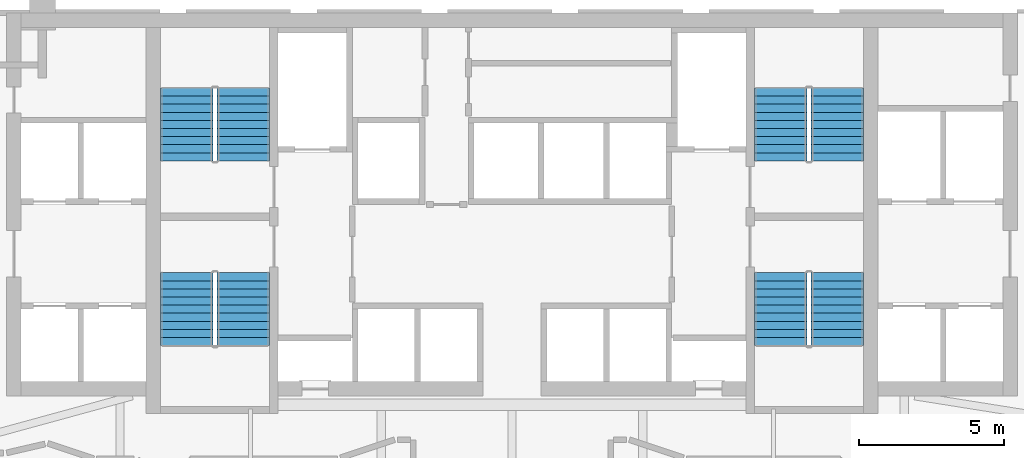
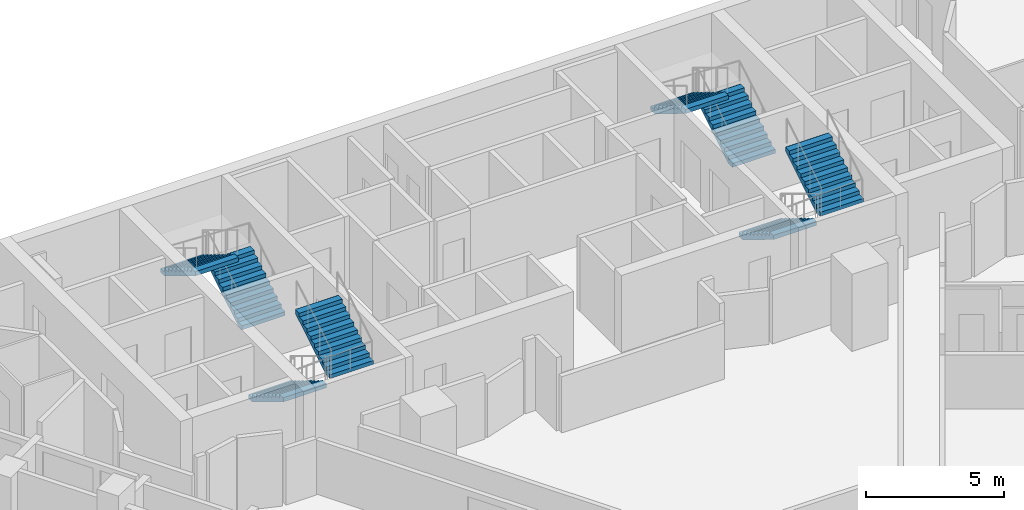
# One storey, part 9 of 10: 8 stair flights, 4 elements without a shape of their own.
"""IFC4 building model written with IfcOpenShell, lengths in metres."""

from ifc_helpers import new_model, si_unit, direction, frame, origin, place, context, subcontext, project, spatial, faceted_brep, source, transform, mapped, material, type_object, element, aggregate, save


model = new_model("IFC4")

# Units and contexts
model_context = context("Model", 3, precision=1e-05, world=origin(), true_north=direction((0.0, 1.0)))
body_context = subcontext(model_context, "Body", "Model", "MODEL_VIEW")
ifc_project = project(units=[si_unit("LENGTHUNIT", "METRE"), si_unit("AREAUNIT", "SQUARE_METRE"), si_unit("VOLUMEUNIT", "CUBIC_METRE"), si_unit("PLANEANGLEUNIT", "RADIAN"), si_unit("MASSUNIT", "GRAM", prefix="KILO")], contexts=[model_context])

# Site, building, storey
site_placement = place(None, origin())
site = spatial("IfcSite", under=ifc_project, at=site_placement, CompositionType="ELEMENT")
building_placement = place(site_placement, origin())
building = spatial("IfcBuilding", under=site, at=building_placement, Name="Calabash Gate Tower", CompositionType="ELEMENT")
storey_placement = place(building_placement, frame((0.0, 0.0, 108.800048828125)))
storey = spatial("IfcBuildingStorey", under=building, at=storey_placement, Name="L24", CompositionType="ELEMENT", Elevation=108.800048828125)

# Stair, stair flights
ifc_material_1 = material(Name="Concrete C40/50", Category="concrete")
stair_type = type_object("IfcStairType", Name="Exit stair 20 risers of 170 mm", PredefinedType="HALF_TURN_STAIR", material=ifc_material_1)
stair_1_placement = place(storey_placement, origin())
stair_1 = element("IfcStair", 1, at=stair_1_placement, inside=storey, type_object=stair_type, Name="L24 Exit stair ST1", PredefinedType="HALF_TURN_STAIR")
ifc_material_2 = material(Name="Concrete C40/50", Category="concrete")
stair_flight_type = type_object("IfcStairFlightType", Name="Exit stair flight SFL", PredefinedType="STRAIGHT", material=ifc_material_2)
shared_shape = source(origin(), body_context, "Body", "Brep", [
    faceted_brep([(-0.0009765625, -0.89990234375, 0.0), (0.2880859375, -0.89990234375, 0.0), (2.511962890625, -0.89990234375, 1.3544921875), (-0.0009765625, 0.89990234375, 0.0), (2.511962890625, 0.89990234375, 1.3544921875), (0.2880859375, 0.89990234375, 0.0), (2.511962890625, -0.89990234375, 1.5419921875), (2.510986328125, -0.89990234375, 1.5419921875), (2.510986328125, 0.89990234375, 1.5419921875), (2.511962890625, 0.89990234375, 1.5419921875), (2.510986328125, -0.89990234375, 1.530029296875), (2.510986328125, 0.89990234375, 1.530029296875), (2.23193359375, -0.89990234375, 1.530029296875), (2.23193359375, 0.89990234375, 1.530029296875), (2.23193359375, -0.89990234375, 1.360107421875), (2.23193359375, 0.89990234375, 1.360107421875), (1.952880859375, -0.89990234375, 1.360107421875), (1.952880859375, 0.89990234375, 1.360107421875), (1.952880859375, -0.89990234375, 1.18994140625), (1.952880859375, 0.89990234375, 1.18994140625), (1.674072265625, -0.89990234375, 1.18994140625), (1.674072265625, -0.89990234375, 1.02001953125), (1.674072265625, 0.89990234375, 1.02001953125), (1.674072265625, 0.89990234375, 1.18994140625), (1.39501953125, -0.89990234375, 1.02001953125), (1.39501953125, -0.89990234375, 0.85009765625), (1.39501953125, 0.89990234375, 0.85009765625), (1.39501953125, 0.89990234375, 1.02001953125), (1.115966796875, -0.89990234375, 0.85009765625), (1.115966796875, -0.89990234375, 0.679931640625), (1.115966796875, 0.89990234375, 0.679931640625), (1.115966796875, 0.89990234375, 0.85009765625), (0.8369140625, -0.89990234375, 0.679931640625), (0.8369140625, -0.89990234375, 0.510009765625), (0.8369140625, 0.89990234375, 0.510009765625), (0.8369140625, 0.89990234375, 0.679931640625), (0.55810546875, -0.89990234375, 0.510009765625), (0.55810546875, -0.89990234375, 0.340087890625), (0.55810546875, 0.89990234375, 0.340087890625), (0.55810546875, 0.89990234375, 0.510009765625), (0.279052734375, -0.89990234375, 0.340087890625), (0.279052734375, -0.89990234375, 0.169921875), (0.279052734375, 0.89990234375, 0.169921875), (0.279052734375, 0.89990234375, 0.340087890625), (-0.0009765625, -0.89990234375, 0.169921875), (-0.0009765625, 0.89990234375, 0.169921875), (0.2880859375, -0.360107421875, 0.0), (2.511962890625, -0.360107421875, 1.3544921875), (0.2880859375, -0.179931640625, 0.0), (2.511962890625, -0.179931640625, 1.3544921875), (0.2880859375, 0.0, 0.0), (2.511962890625, 0.0, 1.3544921875), (0.2880859375, 0.179931640625, 0.0), (2.511962890625, 0.179931640625, 1.3544921875), (0.2880859375, 0.360107421875, 0.0), (2.511962890625, 0.360107421875, 1.3544921875), (2.511962890625, -0.360107421875, 1.5419921875), (2.511962890625, -0.179931640625, 1.5419921875), (2.511962890625, 0.0, 1.5419921875), (2.511962890625, 0.179931640625, 1.5419921875), (2.511962890625, 0.360107421875, 1.5419921875), (2.510986328125, -0.360107421875, 1.5419921875), (2.510986328125, -0.179931640625, 1.5419921875), (2.510986328125, 0.0, 1.5419921875), (2.510986328125, 0.179931640625, 1.5419921875), (2.510986328125, 0.360107421875, 1.5419921875), (2.510986328125, -0.360107421875, 1.530029296875), (2.510986328125, -0.179931640625, 1.530029296875), (2.510986328125, 0.0, 1.530029296875), (2.510986328125, 0.179931640625, 1.530029296875), (2.510986328125, 0.360107421875, 1.530029296875), (2.23193359375, -0.360107421875, 1.530029296875), (2.23193359375, -0.179931640625, 1.530029296875), (2.23193359375, 0.0, 1.530029296875), (2.23193359375, 0.179931640625, 1.530029296875), (2.23193359375, 0.360107421875, 1.530029296875), (2.23193359375, -0.360107421875, 1.360107421875), (2.23193359375, -0.179931640625, 1.360107421875), (2.23193359375, 0.0, 1.360107421875), (2.23193359375, 0.179931640625, 1.360107421875), (2.23193359375, 0.360107421875, 1.360107421875), (1.952880859375, -0.360107421875, 1.360107421875), (1.952880859375, -0.179931640625, 1.360107421875), (1.952880859375, 0.0, 1.360107421875), (1.952880859375, 0.179931640625, 1.360107421875), (1.952880859375, 0.360107421875, 1.360107421875), (1.952880859375, -0.360107421875, 1.18994140625), (1.952880859375, -0.179931640625, 1.18994140625), (1.952880859375, 0.0, 1.18994140625), (1.952880859375, 0.179931640625, 1.18994140625), (1.952880859375, 0.360107421875, 1.18994140625), (1.674072265625, -0.360107421875, 1.18994140625), (1.674072265625, -0.179931640625, 1.18994140625), (1.674072265625, 0.0, 1.18994140625), (1.674072265625, 0.179931640625, 1.18994140625), (1.674072265625, 0.360107421875, 1.18994140625), (1.674072265625, -0.360107421875, 1.02001953125), (1.674072265625, -0.179931640625, 1.02001953125), (1.674072265625, 0.0, 1.02001953125), (1.674072265625, 0.179931640625, 1.02001953125), (1.674072265625, 0.360107421875, 1.02001953125), (1.39501953125, -0.360107421875, 1.02001953125), (1.39501953125, -0.179931640625, 1.02001953125), (1.39501953125, 0.0, 1.02001953125), (1.39501953125, 0.179931640625, 1.02001953125), (1.39501953125, 0.360107421875, 1.02001953125), (1.39501953125, -0.360107421875, 0.85009765625), (1.39501953125, -0.179931640625, 0.85009765625), (1.39501953125, 0.0, 0.85009765625), (1.39501953125, 0.179931640625, 0.85009765625), (1.39501953125, 0.360107421875, 0.85009765625), (1.115966796875, -0.360107421875, 0.85009765625), (1.115966796875, -0.179931640625, 0.85009765625), (1.115966796875, 0.0, 0.85009765625), (1.115966796875, 0.179931640625, 0.85009765625), (1.115966796875, 0.360107421875, 0.85009765625), (1.115966796875, -0.360107421875, 0.679931640625), (1.115966796875, -0.179931640625, 0.679931640625), (1.115966796875, 0.0, 0.679931640625), (1.115966796875, 0.179931640625, 0.679931640625), (1.115966796875, 0.360107421875, 0.679931640625), (0.8369140625, -0.360107421875, 0.679931640625), (0.8369140625, -0.179931640625, 0.679931640625), (0.8369140625, 0.0, 0.679931640625), (0.8369140625, 0.179931640625, 0.679931640625), (0.8369140625, 0.360107421875, 0.679931640625), (0.8369140625, -0.360107421875, 0.510009765625), (0.8369140625, -0.179931640625, 0.510009765625), (0.8369140625, 0.0, 0.510009765625), (0.8369140625, 0.179931640625, 0.510009765625), (0.8369140625, 0.360107421875, 0.510009765625), (0.55810546875, -0.360107421875, 0.510009765625), (0.55810546875, -0.179931640625, 0.510009765625), (0.55810546875, 0.0, 0.510009765625), (0.55810546875, 0.179931640625, 0.510009765625), (0.55810546875, 0.360107421875, 0.510009765625), (0.55810546875, -0.360107421875, 0.340087890625), (0.55810546875, -0.179931640625, 0.340087890625), (0.55810546875, 0.0, 0.340087890625), (0.55810546875, 0.179931640625, 0.340087890625), (0.55810546875, 0.360107421875, 0.340087890625), (0.279052734375, -0.360107421875, 0.340087890625), (0.279052734375, -0.179931640625, 0.340087890625), (0.279052734375, 0.0, 0.340087890625), (0.279052734375, 0.179931640625, 0.340087890625), (0.279052734375, 0.360107421875, 0.340087890625), (0.279052734375, -0.360107421875, 0.169921875), (0.279052734375, -0.179931640625, 0.169921875), (0.279052734375, 0.0, 0.169921875), (0.279052734375, 0.179931640625, 0.169921875), (0.279052734375, 0.360107421875, 0.169921875), (-0.0009765625, -0.360107421875, 0.169921875), (-0.0009765625, -0.179931640625, 0.169921875), (-0.0009765625, 0.0, 0.169921875), (-0.0009765625, 0.179931640625, 0.169921875), (-0.0009765625, 0.360107421875, 0.169921875), (-0.0009765625, -0.360107421875, 0.0), (-0.0009765625, -0.179931640625, 0.0), (-0.0009765625, 0.0, 0.0), (-0.0009765625, 0.179931640625, 0.0), (-0.0009765625, 0.360107421875, 0.0)], [[[0, 1, 2]], [[3, 4, 5]], [[2, 6, 7]], [[4, 8, 9]], [[2, 7, 10]], [[4, 11, 8]], [[2, 10, 12]], [[4, 13, 11]], [[2, 12, 14]], [[4, 15, 13]], [[2, 14, 16]], [[4, 17, 15]], [[2, 16, 18]], [[4, 19, 17]], [[18, 20, 21]], [[19, 22, 23]], [[2, 18, 21]], [[4, 22, 19]], [[21, 24, 25]], [[22, 26, 27]], [[2, 21, 25]], [[4, 26, 22]], [[25, 28, 29]], [[26, 30, 31]], [[2, 25, 29]], [[4, 30, 26]], [[29, 32, 33]], [[30, 34, 35]], [[2, 29, 33]], [[4, 34, 30]], [[33, 36, 37]], [[34, 38, 39]], [[2, 33, 37]], [[4, 38, 34]], [[37, 40, 41]], [[38, 42, 43]], [[2, 37, 41]], [[4, 42, 38]], [[0, 2, 41]], [[3, 42, 4]], [[41, 44, 0]], [[42, 3, 45]], [[1, 46, 2]], [[46, 47, 2]], [[46, 48, 47]], [[48, 49, 47]], [[48, 50, 49]], [[50, 51, 49]], [[50, 52, 53]], [[50, 53, 51]], [[52, 54, 55]], [[52, 55, 53]], [[54, 5, 4]], [[54, 4, 55]], [[2, 47, 6]], [[47, 56, 6]], [[47, 49, 56]], [[49, 57, 56]], [[49, 51, 57]], [[51, 58, 57]], [[51, 53, 59]], [[51, 59, 58]], [[53, 55, 60]], [[53, 60, 59]], [[55, 4, 9]], [[55, 9, 60]], [[6, 56, 7]], [[56, 61, 7]], [[56, 57, 61]], [[57, 62, 61]], [[57, 58, 62]], [[58, 63, 62]], [[58, 59, 64]], [[58, 64, 63]], [[59, 60, 65]], [[59, 65, 64]], [[60, 9, 8]], [[60, 8, 65]], [[7, 61, 10]], [[61, 66, 10]], [[61, 62, 66]], [[62, 67, 66]], [[62, 63, 67]], [[63, 68, 67]], [[63, 64, 69]], [[63, 69, 68]], [[64, 65, 70]], [[64, 70, 69]], [[65, 8, 11]], [[65, 11, 70]], [[10, 66, 12]], [[66, 71, 12]], [[66, 67, 71]], [[67, 72, 71]], [[67, 68, 72]], [[68, 73, 72]], [[68, 69, 74]], [[68, 74, 73]], [[69, 70, 75]], [[69, 75, 74]], [[70, 11, 13]], [[70, 13, 75]], [[12, 71, 14]], [[71, 76, 14]], [[71, 72, 76]], [[72, 77, 76]], [[72, 73, 77]], [[73, 78, 77]], [[73, 74, 79]], [[73, 79, 78]], [[74, 75, 80]], [[74, 80, 79]], [[75, 13, 15]], [[75, 15, 80]], [[14, 76, 16]], [[76, 81, 16]], [[76, 77, 81]], [[77, 82, 81]], [[77, 78, 82]], [[78, 83, 82]], [[78, 79, 84]], [[78, 84, 83]], [[79, 80, 85]], [[79, 85, 84]], [[80, 15, 17]], [[80, 17, 85]], [[16, 81, 18]], [[81, 86, 18]], [[81, 82, 86]], [[82, 87, 86]], [[82, 83, 87]], [[83, 88, 87]], [[83, 84, 89]], [[83, 89, 88]], [[84, 85, 90]], [[84, 90, 89]], [[85, 17, 19]], [[85, 19, 90]], [[18, 86, 20]], [[86, 91, 20]], [[86, 87, 91]], [[87, 92, 91]], [[87, 88, 92]], [[88, 93, 92]], [[88, 89, 94]], [[88, 94, 93]], [[89, 90, 95]], [[89, 95, 94]], [[90, 19, 23]], [[90, 23, 95]], [[20, 91, 21]], [[91, 96, 21]], [[91, 92, 96]], [[92, 97, 96]], [[92, 93, 97]], [[93, 98, 97]], [[93, 94, 99]], [[93, 99, 98]], [[94, 95, 100]], [[94, 100, 99]], [[95, 23, 22]], [[95, 22, 100]], [[21, 96, 24]], [[96, 101, 24]], [[96, 97, 101]], [[97, 102, 101]], [[97, 98, 102]], [[98, 103, 102]], [[98, 99, 104]], [[98, 104, 103]], [[99, 100, 105]], [[99, 105, 104]], [[100, 22, 27]], [[100, 27, 105]], [[24, 101, 25]], [[101, 106, 25]], [[101, 102, 106]], [[102, 107, 106]], [[102, 103, 107]], [[103, 108, 107]], [[103, 104, 109]], [[103, 109, 108]], [[104, 105, 110]], [[104, 110, 109]], [[105, 27, 26]], [[105, 26, 110]], [[25, 106, 28]], [[106, 111, 28]], [[106, 107, 111]], [[107, 112, 111]], [[107, 108, 112]], [[108, 113, 112]], [[108, 109, 114]], [[108, 114, 113]], [[109, 110, 115]], [[109, 115, 114]], [[110, 26, 31]], [[110, 31, 115]], [[28, 111, 29]], [[111, 116, 29]], [[111, 112, 116]], [[112, 117, 116]], [[112, 113, 117]], [[113, 118, 117]], [[113, 114, 119]], [[113, 119, 118]], [[114, 115, 120]], [[114, 120, 119]], [[115, 31, 30]], [[115, 30, 120]], [[29, 116, 32]], [[116, 121, 32]], [[116, 117, 121]], [[117, 122, 121]], [[117, 118, 122]], [[118, 123, 122]], [[118, 119, 124]], [[118, 124, 123]], [[119, 120, 125]], [[119, 125, 124]], [[120, 30, 35]], [[120, 35, 125]], [[32, 121, 33]], [[121, 126, 33]], [[121, 122, 126]], [[122, 127, 126]], [[122, 123, 127]], [[123, 128, 127]], [[123, 124, 129]], [[123, 129, 128]], [[124, 125, 130]], [[124, 130, 129]], [[125, 35, 34]], [[125, 34, 130]], [[33, 126, 36]], [[126, 131, 36]], [[126, 127, 131]], [[127, 132, 131]], [[127, 128, 132]], [[128, 133, 132]], [[128, 129, 134]], [[128, 134, 133]], [[129, 130, 135]], [[129, 135, 134]], [[130, 34, 39]], [[130, 39, 135]], [[36, 131, 37]], [[131, 136, 37]], [[131, 132, 136]], [[132, 137, 136]], [[132, 133, 137]], [[133, 138, 137]], [[133, 134, 139]], [[133, 139, 138]], [[134, 135, 140]], [[134, 140, 139]], [[135, 39, 38]], [[135, 38, 140]], [[37, 136, 40]], [[136, 141, 40]], [[136, 137, 141]], [[137, 142, 141]], [[137, 138, 142]], [[138, 143, 142]], [[138, 139, 144]], [[138, 144, 143]], [[139, 140, 145]], [[139, 145, 144]], [[140, 38, 43]], [[140, 43, 145]], [[40, 141, 41]], [[141, 146, 41]], [[141, 142, 146]], [[142, 147, 146]], [[142, 143, 147]], [[143, 148, 147]], [[143, 144, 149]], [[143, 149, 148]], [[144, 145, 150]], [[144, 150, 149]], [[145, 43, 42]], [[145, 42, 150]], [[41, 146, 44]], [[146, 151, 44]], [[146, 147, 151]], [[147, 152, 151]], [[147, 148, 152]], [[148, 153, 152]], [[148, 149, 154]], [[148, 154, 153]], [[149, 150, 155]], [[149, 155, 154]], [[150, 42, 45]], [[150, 45, 155]], [[44, 151, 0]], [[151, 156, 0]], [[151, 152, 156]], [[152, 157, 156]], [[152, 153, 157]], [[153, 158, 157]], [[153, 154, 159]], [[153, 159, 158]], [[154, 155, 160]], [[154, 160, 159]], [[155, 45, 3]], [[155, 3, 160]], [[0, 156, 1]], [[156, 46, 1]], [[156, 157, 46]], [[157, 48, 46]], [[157, 158, 48]], [[158, 50, 48]], [[158, 159, 52]], [[158, 52, 50]], [[159, 160, 54]], [[159, 54, 52]], [[160, 3, 5]], [[160, 5, 54]]]),
])
stair_flight_1_placement = place(storey_placement, frame((-9.25, 13.95263671875, 0.0), z_axis=(0.0, 0.0, 1.0), x_axis=(0.0, 1.0, 0.0)))
stair_flight_1 = element("IfcStairFlight", 2, at=stair_flight_1_placement, type_object=stair_flight_type, Name="ST1 flight 1", NumberOfRisers=10, NumberOfTreads=9, PredefinedType="STRAIGHT", RiserHeight=0.17, TreadLength=0.279, context=body_context, shape_type="MappedRepresentation", body=[
    mapped(shared_shape, transform((0.0, 0.0, 0.0), scale=1.0)),
])
stair_flight_2_placement = place(storey_placement, frame((-11.199951171875, 16.463623046875, 1.699951171875), z_axis=(0.0, 0.0, 1.0), x_axis=(0.0, -1.0, 0.0)))
stair_flight_2 = element("IfcStairFlight", 3, at=stair_flight_2_placement, type_object=stair_flight_type, Name="ST1 flight 2", NumberOfRisers=10, NumberOfTreads=9, PredefinedType="STRAIGHT", RiserHeight=0.17, TreadLength=0.279, context=body_context, shape_type="MappedRepresentation", body=[
    mapped(shared_shape, transform((0.0, 0.0, 0.0), scale=1.0)),
])
aggregate(stair_1, [stair_flight_1, stair_flight_2])

stair_2_placement = place(storey_placement, origin())
stair_2 = element("IfcStair", 4, at=stair_2_placement, inside=storey, type_object=stair_type, Name="L24 Exit stair ST2", PredefinedType="HALF_TURN_STAIR")
stair_flight_3_placement = place(storey_placement, frame((-11.199951171875, 10.1025390625, 0.0), z_axis=(0.0, 0.0, 1.0), x_axis=(0.0, -1.0, 0.0)))
stair_flight_3 = element("IfcStairFlight", 5, at=stair_flight_3_placement, type_object=stair_flight_type, Name="ST2 flight 1", NumberOfRisers=10, NumberOfTreads=9, PredefinedType="STRAIGHT", RiserHeight=0.17, TreadLength=0.279, context=body_context, shape_type="MappedRepresentation", body=[
    mapped(shared_shape, transform((0.0, 0.0, 0.0), scale=1.0)),
])
stair_flight_4_placement = place(storey_placement, frame((-9.25, 7.591552734375, 1.699951171875), z_axis=(0.0, 0.0, 1.0), x_axis=(0.0, 1.0, 0.0)))
stair_flight_4 = element("IfcStairFlight", 6, at=stair_flight_4_placement, type_object=stair_flight_type, Name="ST2 flight 2", NumberOfRisers=10, NumberOfTreads=9, PredefinedType="STRAIGHT", RiserHeight=0.17, TreadLength=0.279, context=body_context, shape_type="MappedRepresentation", body=[
    mapped(shared_shape, transform((0.0, 0.0, 0.0), scale=1.0)),
])
aggregate(stair_2, [stair_flight_3, stair_flight_4])

stair_3_placement = place(storey_placement, origin())
stair_3 = element("IfcStair", 7, at=stair_3_placement, inside=storey, type_object=stair_type, Name="L24 Exit stair ST3", PredefinedType="HALF_TURN_STAIR")
stair_flight_5_placement = place(storey_placement, frame((11.199951171875, 13.95263671875, 0.0), z_axis=(0.0, 0.0, 1.0), x_axis=(0.0, 1.0, 0.0)))
stair_flight_5 = element("IfcStairFlight", 8, at=stair_flight_5_placement, type_object=stair_flight_type, Name="ST3 flight 1", NumberOfRisers=10, NumberOfTreads=9, PredefinedType="STRAIGHT", RiserHeight=0.17, TreadLength=0.279, context=body_context, shape_type="MappedRepresentation", body=[
    mapped(shared_shape, transform((0.0, 0.0, 0.0), scale=1.0)),
])
stair_flight_6_placement = place(storey_placement, frame((9.25, 16.463623046875, 1.699951171875), z_axis=(0.0, 0.0, 1.0), x_axis=(0.0, -1.0, 0.0)))
stair_flight_6 = element("IfcStairFlight", 9, at=stair_flight_6_placement, type_object=stair_flight_type, Name="ST3 flight 2", NumberOfRisers=10, NumberOfTreads=9, PredefinedType="STRAIGHT", RiserHeight=0.17, TreadLength=0.279, context=body_context, shape_type="MappedRepresentation", body=[
    mapped(shared_shape, transform((0.0, 0.0, 0.0), scale=1.0)),
])
aggregate(stair_3, [stair_flight_5, stair_flight_6])

stair_4_placement = place(storey_placement, origin())
stair_4 = element("IfcStair", 10, at=stair_4_placement, inside=storey, type_object=stair_type, Name="L24 Exit stair ST4", PredefinedType="HALF_TURN_STAIR")
stair_flight_7_placement = place(storey_placement, frame((9.25, 10.1025390625, 0.0), z_axis=(0.0, 0.0, 1.0), x_axis=(0.0, -1.0, 0.0)))
stair_flight_7 = element("IfcStairFlight", 11, at=stair_flight_7_placement, type_object=stair_flight_type, Name="ST4 flight 1", NumberOfRisers=10, NumberOfTreads=9, PredefinedType="STRAIGHT", RiserHeight=0.17, TreadLength=0.279, context=body_context, shape_type="MappedRepresentation", body=[
    mapped(shared_shape, transform((0.0, 0.0, 0.0), scale=1.0)),
])
stair_flight_8_placement = place(storey_placement, frame((11.199951171875, 7.591552734375, 1.699951171875), z_axis=(0.0, 0.0, 1.0), x_axis=(0.0, 1.0, 0.0)))
stair_flight_8 = element("IfcStairFlight", 12, at=stair_flight_8_placement, type_object=stair_flight_type, Name="ST4 flight 2", NumberOfRisers=10, NumberOfTreads=9, PredefinedType="STRAIGHT", RiserHeight=0.17, TreadLength=0.279, context=body_context, shape_type="MappedRepresentation", body=[
    mapped(shared_shape, transform((0.0, 0.0, 0.0), scale=1.0)),
])
aggregate(stair_4, [stair_flight_7, stair_flight_8])

save(model, "model.ifc")
